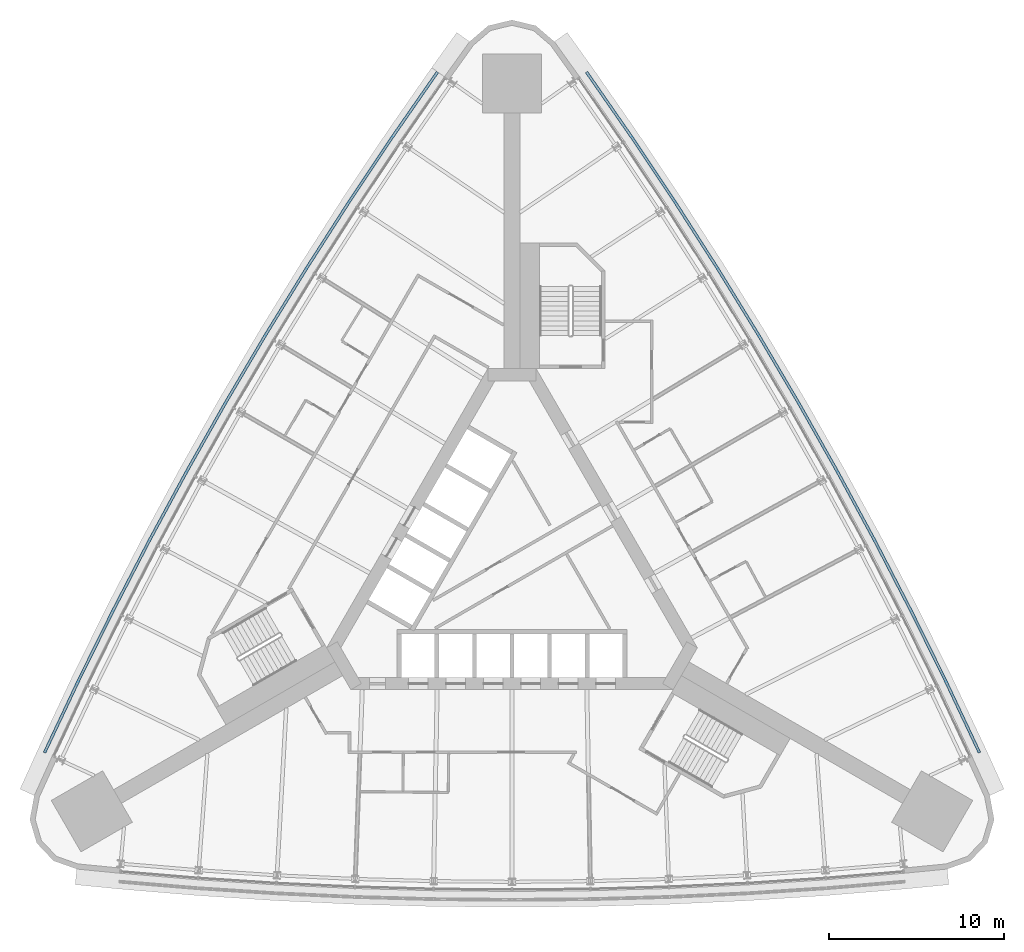
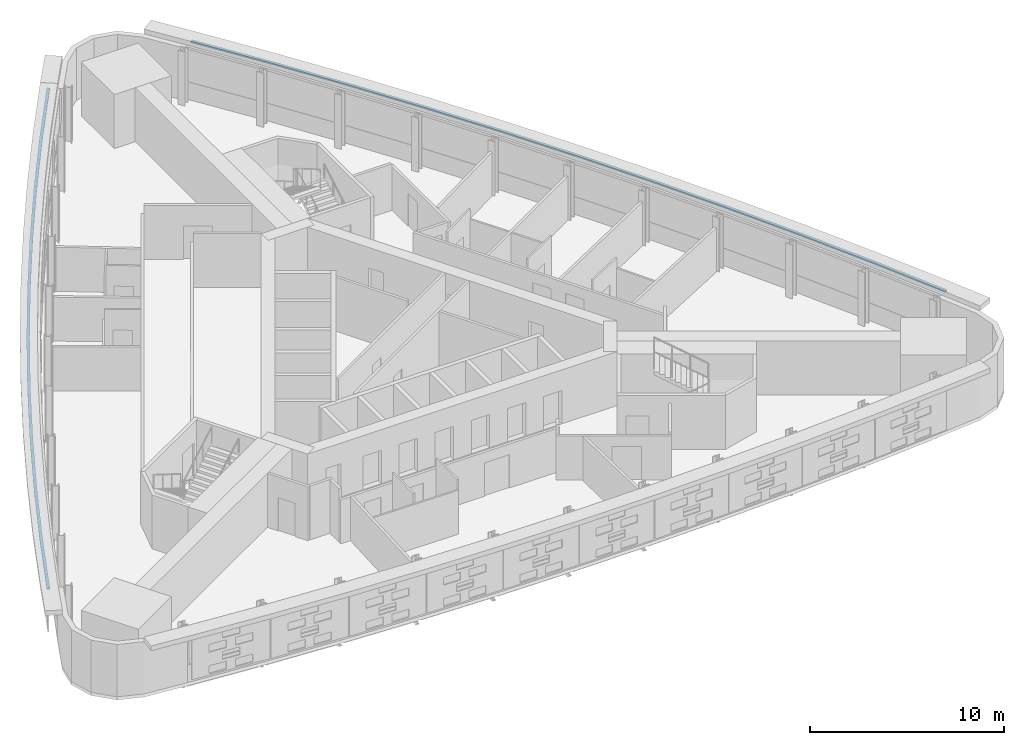
# One storey, part 13 of 15: 2 discrete accessories.
"""IFC4 building model written with IfcOpenShell, lengths in metres."""

from ifc_helpers import new_model, si_unit, direction, frame, origin, place, context, subcontext, project, spatial, polyline, outline, extrude, material, type_object, element, save


model = new_model("IFC4")

# Units and contexts
model_context = context("Model", 3, precision=1e-05, world=origin(), true_north=direction((0.0, 1.0)))
body_context = subcontext(model_context, "Body", "Model", "MODEL_VIEW")
ifc_project = project(units=[si_unit("LENGTHUNIT", "METRE"), si_unit("AREAUNIT", "SQUARE_METRE"), si_unit("VOLUMEUNIT", "CUBIC_METRE"), si_unit("PLANEANGLEUNIT", "RADIAN"), si_unit("MASSUNIT", "GRAM", prefix="KILO")], contexts=[model_context])

# Site, building, storey
site_placement = place(None, origin())
site = spatial("IfcSite", under=ifc_project, at=site_placement, CompositionType="ELEMENT")
building_placement = place(site_placement, origin())
building = spatial("IfcBuilding", under=site, at=building_placement, Name="Noor Cloister Tower", CompositionType="ELEMENT")
storey_placement = place(building_placement, frame((0.0, 0.0, 31.199951171875)))
storey = spatial("IfcBuildingStorey", under=building, at=storey_placement, Name="L07", CompositionType="ELEMENT", Elevation=31.199951171875)

# Discrete accessories
ifc_material = material(Name="Stainless steel grade 316", Category="steel")
discrete_accessory_type = type_object("IfcDiscreteAccessoryType", Name="Stainless hanger rail", PredefinedType="BRACKET", material=ifc_material)
discrete_accessory_1_placement = place(storey_placement, frame((0.0, 0.0, 3.199951171875)))
element("IfcDiscreteAccessory", 1, at=discrete_accessory_1_placement, inside=storey, type_object=discrete_accessory_type, Name="Hanger rail L07", PredefinedType="BRACKET", context=body_context, shape_type="SweptSolid", body=[
    extrude(outline(polyline([(-4.329833984375, 28.497314453125), (-6.89990234375, 24.797119140625), (-9.40380859375, 21.045654296875), (-11.837646484375, 17.248291015625), (-14.20068359375, 13.406494140625), (-16.491943359375, 9.521484375), (-18.710693359375, 5.5947265625), (-20.856201171875, 1.62744140625), (-22.927978515625, -2.37890625), (-24.9248046875, -6.423095703125), (-26.84423828125, -10.4990234375), (-26.699462890625, -10.567138671875), (-24.78076171875, -6.49267578125), (-22.78515625, -2.451171875), (-20.71484375, 1.552734375), (-18.57080078125, 5.517333984375), (-16.353271484375, 9.441650390625), (-14.0634765625, 13.323974609375), (-11.7021484375, 17.163330078125), (-9.269775390625, 20.9580078125), (-6.767578125, 24.70703125), (-4.1982421875, 28.406005859375), (-4.329833984375, 28.497314453125)])), origin(), (0.0, 0.0, 1.0), 0.10009765625),
])
discrete_accessory_2_placement = place(storey_placement, frame((0.0, 0.0, 3.199951171875)))
element("IfcDiscreteAccessory", 2, at=discrete_accessory_2_placement, inside=storey, type_object=discrete_accessory_type, Name="Hanger rail L07", PredefinedType="BRACKET", context=body_context, shape_type="SweptSolid", body=[
    extrude(outline(polyline([(26.84423828125, -10.4990234375), (24.9248046875, -6.423095703125), (22.927978515625, -2.37890625), (20.856201171875, 1.62744140625), (18.710693359375, 5.5947265625), (16.491943359375, 9.521484375), (14.20068359375, 13.406494140625), (11.837646484375, 17.248291015625), (9.40380859375, 21.045654296875), (6.89990234375, 24.797119140625), (4.329833984375, 28.497314453125), (4.1982421875, 28.406005859375), (6.767578125, 24.70703125), (9.269775390625, 20.9580078125), (11.7021484375, 17.163330078125), (14.0634765625, 13.323974609375), (16.353271484375, 9.441650390625), (18.57080078125, 5.517333984375), (20.71484375, 1.552734375), (22.78515625, -2.451171875), (24.78076171875, -6.49267578125), (26.699462890625, -10.567138671875), (26.84423828125, -10.4990234375)])), origin(), (0.0, 0.0, 1.0), 0.10009765625),
])

save(model, "model.ifc")
